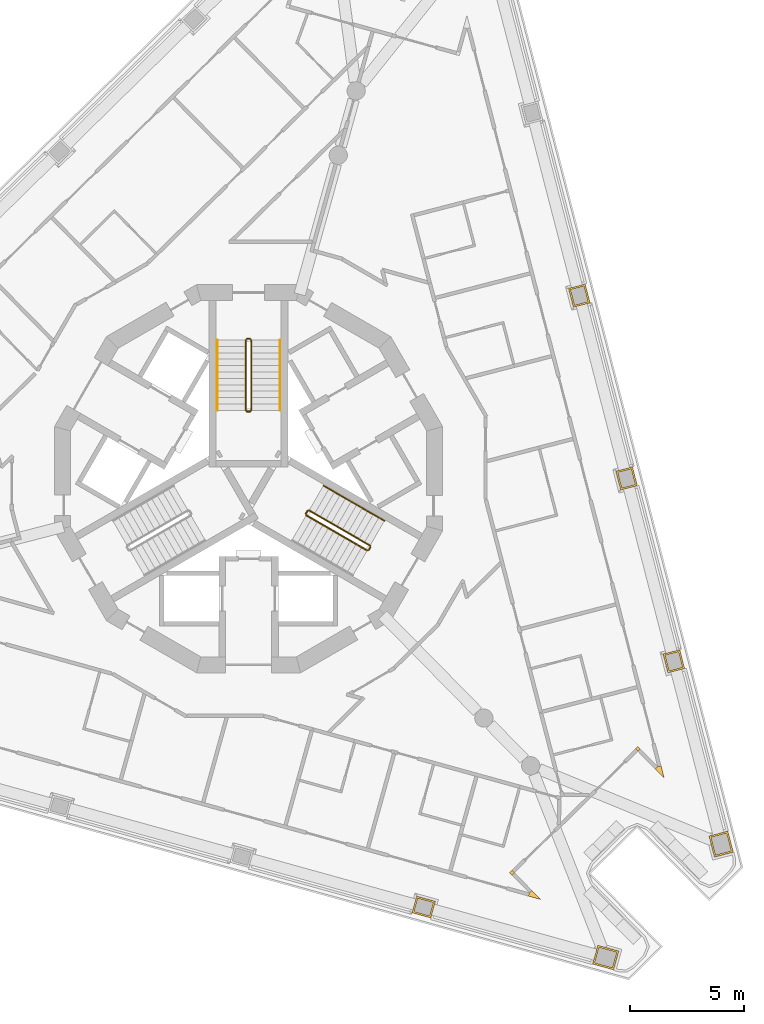
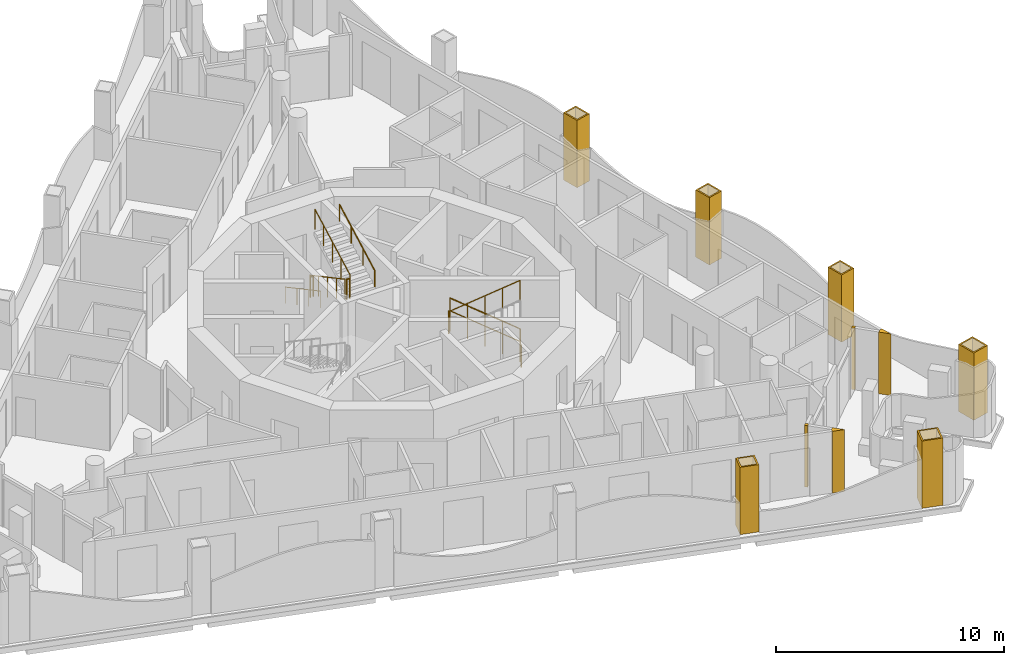
# One storey, part 12 of 14: 12 railings, 10 coverings.
"""IFC4 building model written with IfcOpenShell, lengths in metres."""

import ifcopenshell
import ifcopenshell.guid

model = None  # the IFC model being written
_history = None  # IfcOwnerHistory: only IFC2X3 demands one
_inside = {}  # id of a spatial element -> (the spatial element, [elements in it])
_under = {}  # id of a project, library or spatial element -> (it, [spatial elements below it])
_declared = {}  # id of a project -> (the project, [libraries it declares])
_typed = {}  # id of a type object -> (the type object, [elements of that type])
_made_of = {}  # id of a material, layer set ... -> (it, [elements and type objects made of it])


def new_model(schema):
    """Start an empty IFC model of exactly this schema.

    Asked for "IFC4X3", IfcOpenShell would pick the latest addendum, in which some entities
    have other attributes; the version numbers below select the first issue.
    IFC2X3 requires an IfcOwnerHistory on every rooted entity: one is made here for all.
    """
    global model, _history
    if schema == "IFC4X3":
        model = ifcopenshell.file(schema_version=(4, 3, 0, 0))
    else:
        model = ifcopenshell.file(schema=schema)
    _inside.clear()
    _under.clear()
    _declared.clear()
    _typed.clear()
    _made_of.clear()
    _history = None
    if model.schema == "IFC2X3":
        org = make("IfcOrganization", Name="unknown")
        user = make(
            "IfcPersonAndOrganization",
            ThePerson=make("IfcPerson", FamilyName="unknown"),
            TheOrganization=org,
        )
        app = make(
            "IfcApplication",
            ApplicationDeveloper=org,
            Version="unknown",
            ApplicationFullName="unknown",
            ApplicationIdentifier="unknown",
        )
        _history = make(
            "IfcOwnerHistory",
            OwningUser=user,
            OwningApplication=app,
            ChangeAction="ADDED",
            CreationDate=0,
        )
    return model


def make(cls, **values):
    """One entity of the class cls with the attributes given. An attribute that is None is left unset."""
    return model.create_entity(
        cls, **{name: value for name, value in values.items() if value is not None}
    )


def rooted(cls, **values):
    """An entity with a GlobalId (a new one), such as an element, a storey or a relation."""
    return make(cls, GlobalId=ifcopenshell.guid.new(), OwnerHistory=_history, **values)


def si_unit(unit_type, name, prefix=None):
    """IfcSIUnit, for example si_unit("LENGTHUNIT", "METRE", prefix="MILLI")."""
    return make("IfcSIUnit", UnitType=unit_type, Prefix=prefix, Name=name)


def assignment(units):
    """IfcUnitAssignment: the units of a project."""
    return None if units is None else make("IfcUnitAssignment", Units=units)


def point(xyz):
    """IfcCartesianPoint."""
    return None if xyz is None else make("IfcCartesianPoint", Coordinates=xyz)


def direction(xyz):
    """IfcDirection."""
    return None if xyz is None else make("IfcDirection", DirectionRatios=xyz)


def frame(location, z_axis=None, x_axis=None):
    """IfcAxis2Placement3D, a coordinate frame: its origin and axes. An axis left out is left unset."""
    return make(
        "IfcAxis2Placement3D",
        Location=point(location),
        Axis=direction(z_axis),
        RefDirection=direction(x_axis),
    )


def frame_2d(location, x_axis=None):
    """IfcAxis2Placement2D, a coordinate frame in the plane: its origin and x axis."""
    return make(
        "IfcAxis2Placement2D", Location=point(location), RefDirection=direction(x_axis)
    )


def origin():
    """The frame at (0, 0, 0) with its axes left unset."""
    return frame((0.0, 0.0, 0.0))


def origin_2d():
    """The frame at (0, 0) in the plane with its x axis left unset."""
    return frame_2d((0.0, 0.0))


def place(relative_to, where):
    """IfcLocalPlacement: puts the frame where relative to a parent placement (None: the world)."""
    return make(
        "IfcLocalPlacement", PlacementRelTo=relative_to, RelativePlacement=where
    )


def context(
    kind, dimensions, precision=None, world=None, true_north=None, identifier=None
):
    """IfcGeometricRepresentationContext, for example the 3D "Model" context."""
    return make(
        "IfcGeometricRepresentationContext",
        ContextIdentifier=identifier,
        ContextType=kind,
        CoordinateSpaceDimension=dimensions,
        Precision=precision,
        WorldCoordinateSystem=world,
        TrueNorth=true_north,
    )


def subcontext(parent, identifier, kind, view, scale=None):
    """IfcGeometricRepresentationSubContext, for example "Body" below "Model"."""
    return make(
        "IfcGeometricRepresentationSubContext",
        ContextIdentifier=identifier,
        ContextType=kind,
        ParentContext=parent,
        TargetScale=scale,
        TargetView=view,
    )


def project(units=None, contexts=None):
    """IfcProject with its units and contexts."""
    return rooted(
        "IfcProject",
        Name="project",
        RepresentationContexts=contexts,
        UnitsInContext=assignment(units),
    )


def spatial(cls, under=None, at=None, **own):
    """A site, building, storey or space (cls), placed at a placement, below another one or the project."""
    s = rooted(cls, ObjectPlacement=at, **own)
    if under is not None:
        _under.setdefault(under.id(), (under, []))[1].append(s)
    return s


def polyline(points):
    """IfcPolyline through the points."""
    return make("IfcPolyline", Points=[point(p) for p in points])


def profile(cls, at=None, kind="AREA", **sizes):
    """A parametric profile (cls). Its sizes go by their IFC names, for example OverallWidth=200.0."""
    return make(cls, ProfileType=kind, Position=at, **sizes)


def circle(**sizes):
    """IfcCircleProfileDef."""
    return profile("IfcCircleProfileDef", **sizes)


def outline(outer, holes=None, kind="AREA"):
    """IfcArbitraryClosedProfileDef: a profile drawn as a closed curve; with holes, ...WithVoids."""
    if holes is None:
        return make("IfcArbitraryClosedProfileDef", ProfileType=kind, OuterCurve=outer)
    return make(
        "IfcArbitraryProfileDefWithVoids",
        ProfileType=kind,
        OuterCurve=outer,
        InnerCurves=holes,
    )


def extrude(swept, where, along, depth):
    """IfcExtrudedAreaSolid: the profile swept, set in the frame where, extruded along a direction by depth."""
    return make(
        "IfcExtrudedAreaSolid",
        SweptArea=swept,
        Position=where,
        ExtrudedDirection=direction(along),
        Depth=depth,
    )


def shape(context_of_items, identifier, shape_type, items):
    """IfcShapeRepresentation: the items that make up one representation, for example the "Body"."""
    return make(
        "IfcShapeRepresentation",
        ContextOfItems=context_of_items,
        RepresentationIdentifier=identifier,
        RepresentationType=shape_type,
        Items=items,
    )


def material(Name=None, Category=None):
    """IfcMaterial."""
    return make("IfcMaterial", Name=Name, Category=Category)


def layer(
    of_material, thickness, ventilated=None, Name=None, Category=None, Priority=None
):
    """IfcMaterialLayer: one layer of a wall or slab, of a material (None: an air gap)."""
    return make(
        "IfcMaterialLayer",
        Material=of_material,
        LayerThickness=thickness,
        IsVentilated=ventilated,
        Name=Name,
        Category=Category,
        Priority=Priority,
    )


def layer_set(layers, Name=None):
    """IfcMaterialLayerSet."""
    return make("IfcMaterialLayerSet", MaterialLayers=layers, LayerSetName=Name)


def made_of(thing, what):
    """Note that an element or type object is made of a material, layer set ...; save() writes the relation."""
    if what is not None:
        _made_of.setdefault(what.id(), (what, []))[1].append(thing)
    return thing


def type_object(cls, material=None, **own):
    """A type object (cls), such as IfcWallType, which elements share."""
    return made_of(rooted(cls, **own), material)


def element(
    cls,
    number,
    at=None,
    inside=None,
    cuts=None,
    type_object=None,
    material=None,
    context=None,
    identifier="Body",
    shape_type=None,
    held_by="IfcProductDefinitionShape",
    body=None,
    shapes=None,
    **own,
):
    """One element of the class cls, such as IfcWall. Its Tag is "e" and its number.

    at: its placement. inside: the storey or other place that contains it. cuts: it is an
    opening in that element (IfcRelVoidsElement). A single representation is given by context,
    identifier, shape_type and body (its items); several are given by shapes. held_by: the class
    of the entity that holds the representations. save() writes the other relations.
    """
    e = rooted(cls, Tag="e%d" % number, ObjectPlacement=at, **own)
    if body is not None:
        shapes = [shape(context, identifier, shape_type, body)]
    if shapes is not None:
        e.Representation = make(held_by, Representations=shapes)
    if inside is not None:
        _inside.setdefault(inside.id(), (inside, []))[1].append(e)
    if cuts is not None:
        rooted(
            "IfcRelVoidsElement", RelatingBuildingElement=cuts, RelatedOpeningElement=e
        )
    if type_object is not None:
        _typed.setdefault(type_object.id(), (type_object, []))[1].append(e)
    return made_of(e, material)


def aggregate(whole, parts):
    """IfcRelAggregates: a whole, such as a stair, and the parts it consists of."""
    return rooted("IfcRelAggregates", RelatingObject=whole, RelatedObjects=parts)


def save(model, path):
    """Write the relations noted so far, then the file.

    IfcRelAggregates (storeys below a building ...), IfcRelContainedInSpatialStructure (elements
    in a storey), IfcRelDefinesByType, IfcRelAssociatesMaterial and IfcRelDeclares: one each for
    every whole, place, type object, material and project.
    """
    for whole, parts in _under.values():
        aggregate(whole, parts)
    for where, things in _inside.values():
        rooted(
            "IfcRelContainedInSpatialStructure",
            RelatedElements=things,
            RelatingStructure=where,
        )
    for kind, things in _typed.values():
        rooted("IfcRelDefinesByType", RelatedObjects=things, RelatingType=kind)
    for what, things in _made_of.values():
        rooted("IfcRelAssociatesMaterial", RelatedObjects=things, RelatingMaterial=what)
    for by, libraries in _declared.values():
        rooted("IfcRelDeclares", RelatingContext=by, RelatedDefinitions=libraries)
    model.write(path)


model = new_model("IFC4")

# Units and contexts
model_context = context("Model", 3, precision=1e-05, world=origin(), true_north=direction((0.0, 1.0)))
body_context = subcontext(model_context, "Body", "Model", "MODEL_VIEW")
ifc_project = project(units=[si_unit("LENGTHUNIT", "METRE"), si_unit("AREAUNIT", "SQUARE_METRE"), si_unit("VOLUMEUNIT", "CUBIC_METRE"), si_unit("PLANEANGLEUNIT", "RADIAN"), si_unit("MASSUNIT", "GRAM", prefix="KILO")], contexts=[model_context])

# Site, building, storey
site_placement = place(None, origin())
site = spatial("IfcSite", under=ifc_project, at=site_placement, CompositionType="ELEMENT")
building_placement = place(site_placement, origin())
building = spatial("IfcBuilding", under=site, at=building_placement, Name="Trine Commons Tower", CompositionType="ELEMENT")
storey_placement = place(building_placement, frame((0.0, 0.0, 252.89990234375)))
storey = spatial("IfcBuildingStorey", under=building, at=storey_placement, Name="L66", CompositionType="ELEMENT", Elevation=252.89990234375)

# Coverings
ifc_material_1 = material(Name="Aluminium-framed insulated wall panel", Category="aluminium")
ifc_layer_1 = layer(ifc_material_1, 0.14990234375)
ifc_layer_set_1 = layer_set([ifc_layer_1], Name="Aluminium-framed insulated wall panel")
covering_type_1 = type_object("IfcCoveringType", Name="Glazing corner post, aluminium", PredefinedType="CLADDING", material=ifc_layer_set_1)
covering_1_placement = place(storey_placement, origin())
element("IfcCovering", 1, at=covering_1_placement, inside=storey, type_object=covering_type_1, Name="Glazing corner post 7-06", PredefinedType="CLADDING", context=body_context, shape_type="SweptSolid", body=[
    extrude(outline(polyline([(97.80859375, 49.78515625), (98.200927734375, 49.3857421875), (98.060791015625, 49.927734375), (97.91552734375, 49.890380859375), (97.91552734375, 49.890380859375), (97.80859375, 49.78515625)])), origin(), (0.0, 0.0, 1.0), 3.300048828125),
])
covering_2_placement = place(storey_placement, origin())
element("IfcCovering", 2, at=covering_2_placement, inside=storey, type_object=covering_type_1, Name="Glazing corner post 7-07", PredefinedType="CLADDING", context=body_context, shape_type="SweptSolid", body=[
    extrude(outline(polyline([(96.9423828125, 50.66650390625), (97.047607421875, 50.5595703125), (97.154541015625, 50.66455078125), (97.04931640625, 50.771484375), (96.9423828125, 50.66650390625)])), origin(), (0.0, 0.0, 1.0), 3.300048828125),
])
covering_3_placement = place(storey_placement, origin())
element("IfcCovering", 3, at=covering_3_placement, inside=storey, type_object=covering_type_1, Name="Glazing corner post 7-08", PredefinedType="CLADDING", context=body_context, shape_type="SweptSolid", body=[
    extrude(outline(polyline([(91.5341796875, 45.1416015625), (91.64111328125, 45.24658203125), (91.535888671875, 45.353515625), (91.428955078125, 45.24853515625), (91.5341796875, 45.1416015625)])), origin(), (0.0, 0.0, 1.0), 3.300048828125),
])
covering_4_placement = place(storey_placement, origin())
element("IfcCovering", 4, at=covering_4_placement, inside=storey, type_object=covering_type_1, Name="Glazing corner post 7-09", PredefinedType="CLADDING", context=body_context, shape_type="SweptSolid", body=[
    extrude(outline(polyline([(92.255126953125, 44.222412109375), (92.79443359375, 44.072998046875), (92.402099609375, 44.47216796875), (92.295166015625, 44.3671875), (92.255126953125, 44.222412109375)])), origin(), (0.0, 0.0, 1.0), 3.300048828125),
])
ifc_material_2 = material(Name="Limestone, honed", Category="masonry")
ifc_layer_2 = layer(ifc_material_2, 0.074951171875)
ifc_layer_set_2 = layer_set([ifc_layer_2], Name="Limestone, honed")
covering_type_2 = type_object("IfcCoveringType", Name="Limestone column cladding 75", PredefinedType="CLADDING", material=ifc_layer_set_2)
covering_5_placement = place(storey_placement, origin())
element("IfcCovering", 5, at=covering_5_placement, inside=storey, type_object=covering_type_2, Name="Limestone pier cladding 7-01", PredefinedType="CLADDING", context=body_context, shape_type="SweptSolid", body=[
    extrude(outline(polyline([(95.292724609375, 42.0673828125), (95.0654296875, 41.248291015625), (95.98095703125, 40.994384765625), (96.2080078125, 41.8134765625), (95.292724609375, 42.0673828125)]), holes=[polyline([(95.344970703125, 41.97509765625), (95.15771484375, 41.300537109375), (95.9287109375, 41.086669921875), (96.11572265625, 41.76123046875), (95.344970703125, 41.97509765625)])]), origin(), (0.0, 0.0, 1.0), 3.60009765625),
])
covering_6_placement = place(storey_placement, origin())
element("IfcCovering", 6, at=covering_6_placement, inside=storey, type_object=covering_type_2, Name="Limestone pier cladding 7-02", PredefinedType="CLADDING", context=body_context, shape_type="SweptSolid", body=[
    extrude(outline(polyline([(87.359619140625, 44.215576171875), (87.158935546875, 43.492919921875), (87.97802734375, 43.265869140625), (88.1787109375, 43.988525390625), (87.359619140625, 44.215576171875)]), holes=[polyline([(87.41162109375, 44.123291015625), (87.25146484375, 43.545166015625), (87.92578125, 43.358154296875), (88.086181640625, 43.936279296875), (87.41162109375, 44.123291015625)])]), origin(), (0.0, 0.0, 1.0), 3.60009765625),
])
covering_7_placement = place(storey_placement, origin())
element("IfcCovering", 7, at=covering_7_placement, inside=storey, type_object=covering_type_2, Name="Limestone pier cladding 7-15", PredefinedType="CLADDING", context=body_context, shape_type="SweptSolid", body=[
    extrude(outline(polyline([(94.738525390625, 71.02099609375), (94.012451171875, 70.833251953125), (94.225341796875, 70.01025390625), (94.951416015625, 70.197998046875), (94.738525390625, 71.02099609375)]), holes=[polyline([(94.684814453125, 70.9296875), (94.10400390625, 70.779296875), (94.279296875, 70.101806640625), (94.860107421875, 70.251953125), (94.684814453125, 70.9296875)])]), origin(), (0.0, 0.0, 1.0), 3.60009765625),
])
covering_8_placement = place(storey_placement, origin())
element("IfcCovering", 8, at=covering_8_placement, inside=storey, type_object=covering_type_2, Name="Limestone pier cladding 7-16", PredefinedType="CLADDING", context=body_context, shape_type="SweptSolid", body=[
    extrude(outline(polyline([(96.808837890625, 63.015625), (96.082763671875, 62.827880859375), (96.295654296875, 62.0048828125), (97.021728515625, 62.192626953125), (96.808837890625, 63.015625)]), holes=[polyline([(96.755126953125, 62.92431640625), (96.17431640625, 62.77392578125), (96.349609375, 62.09619140625), (96.930419921875, 62.24658203125), (96.755126953125, 62.92431640625)])]), origin(), (0.0, 0.0, 1.0), 3.60009765625),
])
covering_9_placement = place(storey_placement, origin())
element("IfcCovering", 9, at=covering_9_placement, inside=storey, type_object=covering_type_2, Name="Limestone pier cladding 7-17", PredefinedType="CLADDING", context=body_context, shape_type="SweptSolid", body=[
    extrude(outline(polyline([(98.87939453125, 55.010498046875), (98.1533203125, 54.822509765625), (98.3662109375, 53.99951171875), (99.09228515625, 54.1875), (98.87939453125, 55.010498046875)]), holes=[polyline([(98.825439453125, 54.9189453125), (98.24462890625, 54.768798828125), (98.419921875, 54.091064453125), (99.000732421875, 54.2412109375), (98.825439453125, 54.9189453125)])]), origin(), (0.0, 0.0, 1.0), 3.60009765625),
])
covering_10_placement = place(storey_placement, origin())
element("IfcCovering", 10, at=covering_10_placement, inside=storey, type_object=covering_type_2, Name="Limestone pier cladding 7-18", PredefinedType="CLADDING", context=body_context, shape_type="SweptSolid", body=[
    extrude(outline(polyline([(100.985595703125, 47.06591796875), (100.16259765625, 46.853271484375), (100.400390625, 45.933349609375), (101.223388671875, 46.146240234375), (100.985595703125, 47.06591796875)]), holes=[polyline([(100.931640625, 46.974609375), (100.25390625, 46.79931640625), (100.454345703125, 46.02490234375), (101.132080078125, 46.2001953125), (100.931640625, 46.974609375)])]), origin(), (0.0, 0.0, 1.0), 3.60009765625),
])

# Railings
ifc_material_3 = material(Name="Stainless steel balustrade", Category="steel")
railing_type_1 = type_object("IfcRailingType", Name="Stair guard, steel balustrade 1100", PredefinedType="GUARDRAIL", material=ifc_material_3)
railing_1_placement = place(storey_placement, frame((79.875, 68.570556640625, 0.150146484375)))
element("IfcRailing", 11, at=railing_1_placement, inside=storey, type_object=railing_type_1, Name="L66 ST1C stair guard 1", PredefinedType="GUARDRAIL", context=body_context, shape_type="SweptSolid", body=[
    extrude(circle(Radius=0.02392578125, at=origin_2d()), frame((0.0, 0.0, 1.076171875), z_axis=(0.0, -0.881496589024, 0.472190389079), x_axis=(1.0, 0.0, 0.0)), (0.0, 0.0, 1.0), 3.494140625),
    extrude(circle(Radius=0.02099609375, at=origin_2d()), origin(), (0.0, 0.0, 1.0), 1.052001953125),
    extrude(circle(Radius=0.02099609375, at=origin_2d()), frame((0.0, -0.77001953125, 0.41259765625)), (0.0, 0.0, 1.0), 1.052001953125),
    extrude(circle(Radius=0.02099609375, at=origin_2d()), frame((0.0, -1.5400390625, 0.824951171875)), (0.0, 0.0, 1.0), 1.052001953125),
    extrude(circle(Radius=0.02099609375, at=origin_2d()), frame((0.0, -2.31005859375, 1.2373046875)), (0.0, 0.0, 1.0), 1.052001953125),
    extrude(circle(Radius=0.02099609375, at=origin_2d()), frame((0.0, -3.080078125, 1.64990234375)), (0.0, 0.0, 1.0), 1.052001953125),
])
railing_2_placement = place(storey_placement, frame((79.925048828125, 65.440673828125, 1.800048828125)))
element("IfcRailing", 12, at=railing_2_placement, inside=storey, type_object=railing_type_1, Name="L66 ST1C stair guard 2", PredefinedType="GUARDRAIL", context=body_context, shape_type="SweptSolid", body=[
    extrude(circle(Radius=0.02392578125, at=origin_2d()), frame((0.0, 0.0, 1.076171875), z_axis=(1.0, 0.0, 0.0), x_axis=(0.0, 1.0, 0.0)), (0.0, 0.0, 1.0), 0.14990234375),
    extrude(circle(Radius=0.02099609375, at=origin_2d()), origin(), (0.0, 0.0, 1.0), 1.052001953125),
    extrude(circle(Radius=0.02099609375, at=origin_2d()), frame((0.14990234375, 0.0, 0.0)), (0.0, 0.0, 1.0), 1.052001953125),
])
railing_3_placement = place(storey_placement, frame((80.125, 65.490478515625, 1.9501953125)))
element("IfcRailing", 13, at=railing_3_placement, inside=storey, type_object=railing_type_1, Name="L66 ST1C stair guard 3", PredefinedType="GUARDRAIL", context=body_context, shape_type="SweptSolid", body=[
    extrude(circle(Radius=0.02392578125, at=origin_2d()), frame((0.0, 0.0, 1.076171875), z_axis=(0.0, 0.881496589024, 0.472190389079), x_axis=(-1.0, 0.0, 0.0)), (0.0, 0.0, 1.0), 3.494140625),
    extrude(circle(Radius=0.02099609375, at=origin_2d()), origin(), (0.0, 0.0, 1.0), 1.052001953125),
    extrude(circle(Radius=0.02099609375, at=origin_2d()), frame((0.0, 0.77001953125, 0.41259765625)), (0.0, 0.0, 1.0), 1.052001953125),
    extrude(circle(Radius=0.02099609375, at=origin_2d()), frame((0.0, 1.5400390625, 0.824951171875)), (0.0, 0.0, 1.0), 1.052001953125),
    extrude(circle(Radius=0.02099609375, at=origin_2d()), frame((0.0, 2.31005859375, 1.2373046875)), (0.0, 0.0, 1.0), 1.052001953125),
    extrude(circle(Radius=0.02099609375, at=origin_2d()), frame((0.0, 3.080078125, 1.64990234375)), (0.0, 0.0, 1.0), 1.052001953125),
])
railing_4_placement = place(storey_placement, frame((79.925048828125, 68.62060546875, 0.0)))
element("IfcRailing", 14, at=railing_4_placement, inside=storey, type_object=railing_type_1, Name="L66 ST1C stair guard 4", PredefinedType="GUARDRAIL", context=body_context, shape_type="SweptSolid", body=[
    extrude(circle(Radius=0.02392578125, at=origin_2d()), frame((0.0, 0.0, 1.076171875), z_axis=(1.0, 0.0, 0.0), x_axis=(0.0, 1.0, 0.0)), (0.0, 0.0, 1.0), 0.14990234375),
    extrude(circle(Radius=0.02099609375, at=origin_2d()), origin(), (0.0, 0.0, 1.0), 1.052001953125),
    extrude(circle(Radius=0.02099609375, at=origin_2d()), frame((0.14990234375, 0.0, 0.0)), (0.0, 0.0, 1.0), 1.052001953125),
])
railing_5_placement = place(storey_placement, frame((85.31982421875, 59.572998046875, 0.150146484375)))
element("IfcRailing", 15, at=railing_5_placement, inside=storey, type_object=railing_type_1, Name="L66 ST3C stair guard 1", PredefinedType="GUARDRAIL", context=body_context, shape_type="SweptSolid", body=[
    extrude(circle(Radius=0.02392578125, at=origin_2d()), frame((0.0, 0.0, 1.076171875), z_axis=(-0.76340495495, 0.440743040072, 0.472184759798), x_axis=(-0.499992328818, -0.866029832698, 0.0)), (0.0, 0.0, 1.0), 3.494140625),
    extrude(circle(Radius=0.02099609375, at=origin_2d()), origin(), (0.0, 0.0, 1.0), 1.052001953125),
    extrude(circle(Radius=0.02099609375, at=origin_2d()), frame((-0.6669921875, 0.385009765625, 0.41259765625)), (0.0, 0.0, 1.0), 1.052001953125),
    extrude(circle(Radius=0.02099609375, at=origin_2d()), frame((-1.333740234375, 0.77001953125, 0.824951171875)), (0.0, 0.0, 1.0), 1.052001953125),
    extrude(circle(Radius=0.02099609375, at=origin_2d()), frame((-2.00048828125, 1.155029296875, 1.2373046875)), (0.0, 0.0, 1.0), 1.052001953125),
    extrude(circle(Radius=0.02099609375, at=origin_2d()), frame((-2.66748046875, 1.5400390625, 1.64990234375)), (0.0, 0.0, 1.0), 1.052001953125),
])
railing_6_placement = place(storey_placement, frame((82.584228515625, 61.0947265625, 1.800048828125)))
element("IfcRailing", 16, at=railing_6_placement, inside=storey, type_object=railing_type_1, Name="L66 ST3C stair guard 2", PredefinedType="GUARDRAIL", context=body_context, shape_type="SweptSolid", body=[
    extrude(circle(Radius=0.02392578125, at=origin_2d()), frame((0.0, 0.0, 1.076171875), z_axis=(-0.501036270542, -0.865426285481, 0.0), x_axis=(0.865426285481, -0.501036270542, 0.0)), (0.0, 0.0, 1.0), 0.150146484375),
    extrude(circle(Radius=0.02099609375, at=origin_2d()), origin(), (0.0, 0.0, 1.0), 1.052001953125),
    extrude(circle(Radius=0.02099609375, at=origin_2d()), frame((-0.0751953125, -0.1298828125, 0.0)), (0.0, 0.0, 1.0), 1.052001953125),
])
railing_7_placement = place(storey_placement, frame((82.52734375, 60.896484375, 1.9501953125)))
element("IfcRailing", 17, at=railing_7_placement, inside=storey, type_object=railing_type_1, Name="L66 ST3C stair guard 3", PredefinedType="GUARDRAIL", context=body_context, shape_type="SweptSolid", body=[
    extrude(circle(Radius=0.02392578125, at=origin_2d()), frame((0.0, 0.0, 1.076171875), z_axis=(0.76340495495, -0.440743040072, 0.472184759798), x_axis=(0.499992328818, 0.866029832698, 0.0)), (0.0, 0.0, 1.0), 3.494140625),
    extrude(circle(Radius=0.02099609375, at=origin_2d()), origin(), (0.0, 0.0, 1.0), 1.052001953125),
    extrude(circle(Radius=0.02099609375, at=origin_2d()), frame((0.6669921875, -0.385009765625, 0.41259765625)), (0.0, 0.0, 1.0), 1.052001953125),
    extrude(circle(Radius=0.02099609375, at=origin_2d()), frame((1.333740234375, -0.77001953125, 0.824951171875)), (0.0, 0.0, 1.0), 1.052001953125),
    extrude(circle(Radius=0.02099609375, at=origin_2d()), frame((2.00048828125, -1.155029296875, 1.2373046875)), (0.0, 0.0, 1.0), 1.052001953125),
    extrude(circle(Radius=0.02099609375, at=origin_2d()), frame((2.66748046875, -1.5400390625, 1.64990234375)), (0.0, 0.0, 1.0), 1.052001953125),
])
railing_8_placement = place(storey_placement, frame((85.338134765625, 59.504638671875, 0.0)))
element("IfcRailing", 18, at=railing_8_placement, inside=storey, type_object=railing_type_1, Name="L66 ST3C stair guard 4", PredefinedType="GUARDRAIL", context=body_context, shape_type="SweptSolid", body=[
    extrude(circle(Radius=0.02392578125, at=origin_2d()), frame((0.0, 0.0, 1.076171875), z_axis=(-0.499816412211, -0.866131372301, 0.0), x_axis=(0.866131372301, -0.499816412211, 0.0)), (0.0, 0.0, 1.0), 0.14990234375),
    extrude(circle(Radius=0.02099609375, at=origin_2d()), origin(), (0.0, 0.0, 1.0), 1.052001953125),
    extrude(circle(Radius=0.02099609375, at=origin_2d()), frame((-0.074951171875, -0.1298828125, 0.0)), (0.0, 0.0, 1.0), 1.052001953125),
])
ifc_material_4 = material(Name="Stainless steel handrail", Category="steel")
railing_type_2 = type_object("IfcRailingType", Name="Stair handrail, steel 900", PredefinedType="HANDRAIL", material=ifc_material_4)
railing_9_placement = place(storey_placement, frame((78.625, 68.570556640625, 0.150146484375)))
element("IfcRailing", 19, at=railing_9_placement, inside=storey, type_object=railing_type_2, Name="L66 ST1C stair handrail 1", PredefinedType="HANDRAIL", context=body_context, shape_type="SweptSolid", body=[
    extrude(circle(Radius=0.02099609375, at=origin_2d()), frame((0.0, 0.0, 0.87890625), z_axis=(0.0, -0.881496589024, 0.472190389079), x_axis=(1.0, 0.0, 0.0)), (0.0, 0.0, 1.0), 3.494140625),
    extrude(circle(Radius=0.01513671875, at=origin_2d()), origin(), (0.0, 0.0, 1.0), 0.85791015625),
    extrude(circle(Radius=0.01513671875, at=origin_2d()), frame((0.0, -1.026611328125, 0.550048828125)), (0.0, 0.0, 1.0), 0.85791015625),
    extrude(circle(Radius=0.01513671875, at=origin_2d()), frame((0.0, -2.053466796875, 1.099853515625)), (0.0, 0.0, 1.0), 0.85791015625),
    extrude(circle(Radius=0.01513671875, at=origin_2d()), frame((0.0, -3.080078125, 1.64990234375)), (0.0, 0.0, 1.0), 0.85791015625),
])
railing_10_placement = place(storey_placement, frame((81.375, 65.490478515625, 1.9501953125)))
element("IfcRailing", 20, at=railing_10_placement, inside=storey, type_object=railing_type_2, Name="L66 ST1C stair handrail 2", PredefinedType="HANDRAIL", context=body_context, shape_type="SweptSolid", body=[
    extrude(circle(Radius=0.02099609375, at=origin_2d()), frame((0.0, 0.0, 0.87890625), z_axis=(0.0, 0.881496589024, 0.472190389079), x_axis=(-1.0, 0.0, 0.0)), (0.0, 0.0, 1.0), 3.494140625),
    extrude(circle(Radius=0.01513671875, at=origin_2d()), origin(), (0.0, 0.0, 1.0), 0.85791015625),
    extrude(circle(Radius=0.01513671875, at=origin_2d()), frame((0.0, 1.026611328125, 0.550048828125)), (0.0, 0.0, 1.0), 0.85791015625),
    extrude(circle(Radius=0.01513671875, at=origin_2d()), frame((0.0, 2.053466796875, 1.099853515625)), (0.0, 0.0, 1.0), 0.85791015625),
    extrude(circle(Radius=0.01513671875, at=origin_2d()), frame((0.0, 3.080078125, 1.64990234375)), (0.0, 0.0, 1.0), 0.85791015625),
])
for number, where, name in (
    (21, (85.94482421875, 60.655517578125, 0.150146484375), "L66 ST3C stair handrail 1"),
    (22, (84.611083984375, 61.425537109375, 0.97509765625), "L66 ST3C stair handrail 2"),
):
    element("IfcRailing", number, at=place(storey_placement, frame(where)), inside=storey, type_object=railing_type_2, Name=name, PredefinedType="HANDRAIL", context=body_context, shape_type="SweptSolid", body=[
        extrude(circle(Radius=0.02099609375, at=origin_2d()), frame((0.0, 0.0, 0.87890625), z_axis=(-0.76340495495, 0.440743040072, 0.472184759798), x_axis=(-0.499992328818, -0.866029832698, 0.0)), (0.0, 0.0, 1.0), 1.7470703125),
        extrude(circle(Radius=0.01513671875, at=origin_2d()), origin(), (0.0, 0.0, 1.0), 0.85791015625),
        extrude(circle(Radius=0.01513671875, at=origin_2d()), frame((-0.6669921875, 0.385009765625, 0.41259765625)), (0.0, 0.0, 1.0), 0.85791015625),
        extrude(circle(Radius=0.01513671875, at=origin_2d()), frame((-1.333740234375, 0.77001953125, 0.824951171875)), (0.0, 0.0, 1.0), 0.85791015625),
    ])

save(model, "model.ifc")
